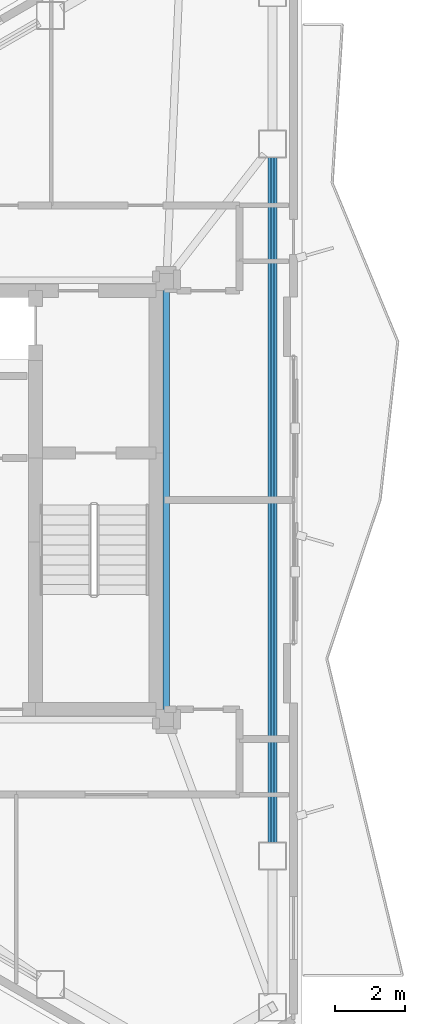
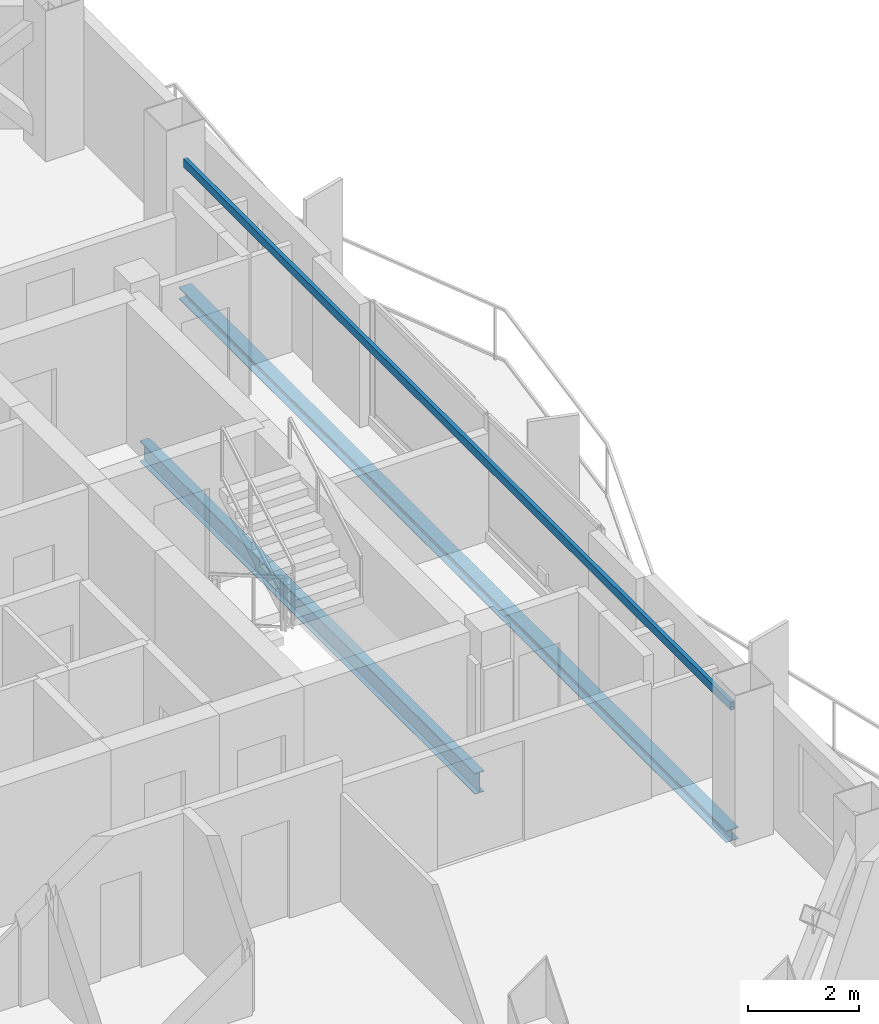
# One storey, part 11 of 18: 3 beams.
"""IFC4 building model written with IfcOpenShell, lengths in metres."""

from ifc_helpers import new_model, si_unit, direction, frame, origin, origin_2d, place, context, subcontext, project, spatial, hollow_rectangle, i_section, extrude, material, material_profile, profile_set, type_object, element, save


model = new_model("IFC4")

# Units and contexts
model_context = context("Model", 3, precision=1e-05, world=origin(), true_north=direction((0.0, 1.0)))
body_context = subcontext(model_context, "Body", "Model", "MODEL_VIEW")
ifc_project = project(units=[si_unit("LENGTHUNIT", "METRE"), si_unit("AREAUNIT", "SQUARE_METRE"), si_unit("VOLUMEUNIT", "CUBIC_METRE"), si_unit("PLANEANGLEUNIT", "RADIAN"), si_unit("MASSUNIT", "GRAM", prefix="KILO")], contexts=[model_context])

# Site, building, storey
site_placement = place(None, origin())
site = spatial("IfcSite", under=ifc_project, at=site_placement, CompositionType="ELEMENT")
building_placement = place(site_placement, origin())
building = spatial("IfcBuilding", under=site, at=building_placement, Name="Mersakhor Tower and Convention Hall", CompositionType="ELEMENT")
storey_placement = place(building_placement, frame((0.0, 0.0, 236.39990234375)))
storey = spatial("IfcBuildingStorey", under=building, at=storey_placement, Name="L66", CompositionType="ELEMENT", Elevation=236.39990234375)

# Beams
ifc_material_1 = material(Name="Steel S355", Category="steel")
ifc_material_profile_1 = material_profile(ifc_material_1, i_section(OverallWidth=0.19140625, OverallDepth=0.4599609375, WebThickness=0.010009765625, FlangeThickness=0.01611328125, at=origin_2d()), Name="UB 457x191x82")
ifc_profile_set_1 = profile_set([ifc_material_profile_1], Name="Steel S355")
beam_type_1 = type_object("IfcBeamType", Name="BM-FB-457", PredefinedType="BEAM", material=ifc_profile_set_1)
beam_1_placement = place(storey_placement, frame((36.10009765625, 32.77001953125, -0.449951171875), z_axis=(0.0, -1.0, 0.0), x_axis=(1.0, 0.0, 0.0)))
element("IfcBeam", 1, at=beam_1_placement, inside=storey, type_object=beam_type_1, Name="L66 Core Ring Tie Beam CRB-3", PredefinedType="BEAM", context=body_context, shape_type="SweptSolid", body=[
    extrude(i_section(OverallWidth=0.19140625, OverallDepth=0.4599609375, WebThickness=0.010009765625, FlangeThickness=0.01611328125, at=origin_2d()), origin(), (0.0, 0.0, 1.0), 12.0400390625),
])
ifc_material_2 = material(Name="Steel S355", Category="steel")
ifc_material_profile_2 = material_profile(ifc_material_2, hollow_rectangle(XDim=0.080078125, YDim=0.179931640625, WallThickness=0.008056640625, at=origin_2d()), Name="RHS 180x80x8")
ifc_profile_set_2 = profile_set([ifc_material_profile_2], Name="Steel S355")
beam_type_2 = type_object("IfcBeamType", Name="BM-GRT-RHS180", PredefinedType="USERDEFINED", material=ifc_profile_set_2)
beam_2_placement = place(storey_placement, frame((39.142822265625, 36.580810546875, 2.47998046875), z_axis=(0.0, -1.0, 0.0), x_axis=(1.0, 0.0, 0.0)))
element("IfcBeam", 2, at=beam_2_placement, inside=storey, type_object=beam_type_2, Name="L66 Facade Support Girt GRT-F2", ObjectType="GIRT", PredefinedType="USERDEFINED", context=body_context, shape_type="SweptSolid", body=[
    extrude(hollow_rectangle(XDim=0.080078125, YDim=0.179931640625, WallThickness=0.008056640625, at=origin_2d()), origin(), (0.0, 0.0, 1.0), 19.66162109375),
])
ifc_material_3 = material(Name="Steel S355", Category="steel")
ifc_material_profile_3 = material_profile(ifc_material_3, i_section(OverallWidth=0.25634765625, OverallDepth=0.26025390625, WebThickness=0.01025390625, FlangeThickness=0.017333984375, at=origin_2d()), Name="UC 254x254x89")
ifc_profile_set_3 = profile_set([ifc_material_profile_3], Name="Steel S355")
beam_type_3 = type_object("IfcBeamType", Name="BM-SPD-UC254", PredefinedType="SPANDREL", material=ifc_profile_set_3)
beam_3_placement = place(storey_placement, frame((39.142822265625, 36.580810546875, -0.35009765625), z_axis=(0.0, -1.0, 0.0), x_axis=(1.0, 0.0, 0.0)))
element("IfcBeam", 3, at=beam_3_placement, inside=storey, type_object=beam_type_3, Name="L66 Perimeter Spandrel Beam SPB-06", PredefinedType="SPANDREL", context=body_context, shape_type="SweptSolid", body=[
    extrude(i_section(OverallWidth=0.25634765625, OverallDepth=0.26025390625, WebThickness=0.01025390625, FlangeThickness=0.017333984375, at=origin_2d()), origin(), (0.0, 0.0, 1.0), 19.66162109375),
])

save(model, "model.ifc")
